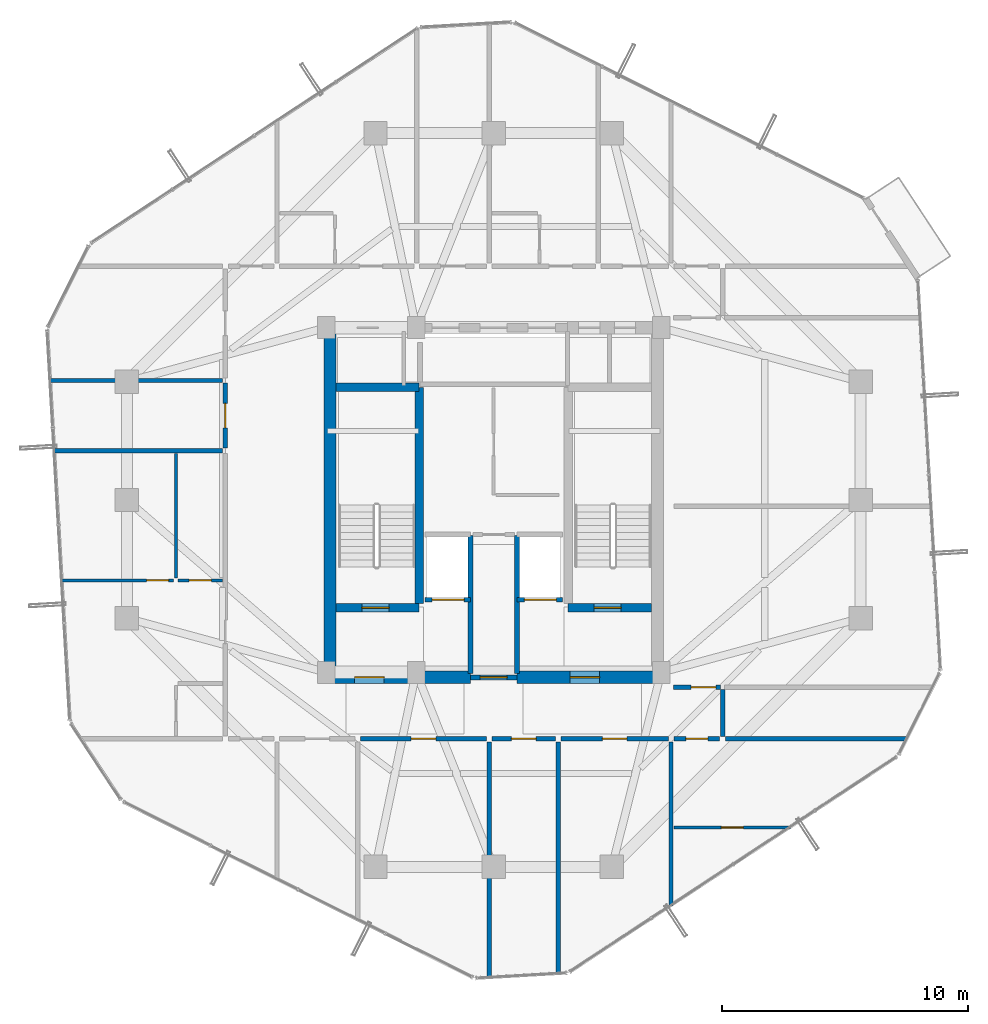
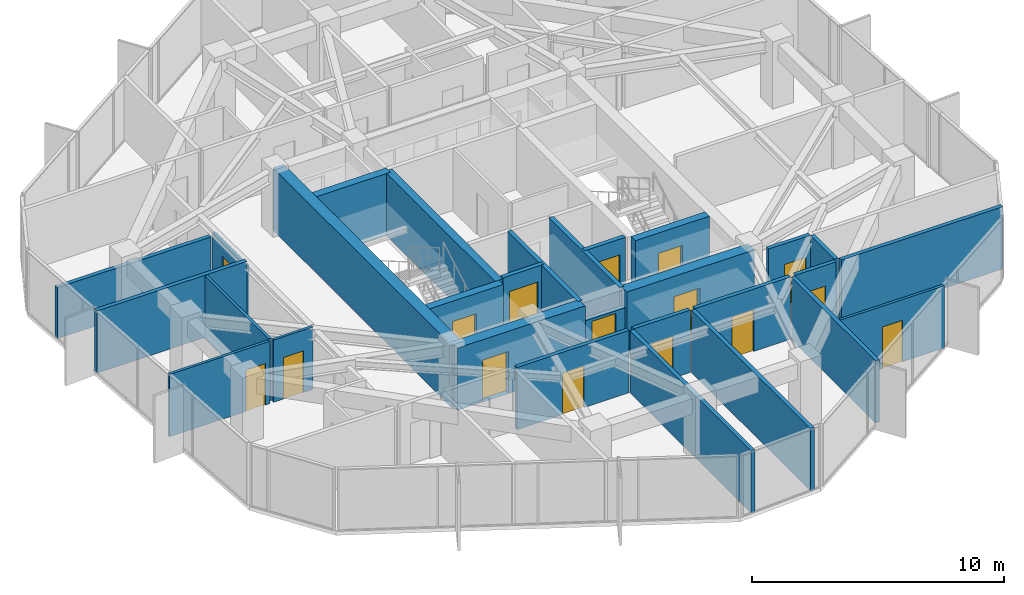
# One storey, part 29 of 33: 29 walls, 16 doors, 16 openings.
"""IFC4 building model written with IfcOpenShell, lengths in metres."""

from ifc_helpers import new_model, si_unit, direction, frame, frame_2d, origin, place, context, subcontext, project, spatial, rectangle, extrude, source, transform, mapped, material, layer, layer_set, type_object, element, fill, save


model = new_model("IFC4")

# Units and contexts
model_context = context("Model", 3, precision=1e-05, world=origin(), true_north=direction((0.0, 1.0)))
body_context = subcontext(model_context, "Body", "Model", "MODEL_VIEW")
ifc_project = project(units=[si_unit("LENGTHUNIT", "METRE"), si_unit("AREAUNIT", "SQUARE_METRE"), si_unit("VOLUMEUNIT", "CUBIC_METRE"), si_unit("PLANEANGLEUNIT", "RADIAN"), si_unit("MASSUNIT", "GRAM", prefix="KILO")], contexts=[model_context])

# Site, building, storey
site_placement = place(None, origin())
site = spatial("IfcSite", under=ifc_project, at=site_placement, CompositionType="ELEMENT")
building_placement = place(site_placement, origin())
building = spatial("IfcBuilding", under=site, at=building_placement, Name="Veraguas Prism Commons", CompositionType="ELEMENT")
storey_placement = place(building_placement, frame((0.0, 0.0, 195.10009765625)))
storey = spatial("IfcBuildingStorey", under=building, at=storey_placement, Name="L55", CompositionType="ELEMENT", Elevation=195.10009765625)

# Wall, opening, door
ifc_material_1 = material(Name="Concrete C50/60", Category="concrete")
ifc_layer_1 = layer(ifc_material_1, 0.35009765625, Name="Core Internal Shear Wall Upper RC 350", Category="concrete")
ifc_layer_set_1 = layer_set([ifc_layer_1], Name="Concrete C50/60")
wall_type_1 = type_object("IfcWallType", Name="Core Internal Shear Wall Upper RC 350", PredefinedType="SHEAR", material=ifc_layer_set_1)
wall_1_placement = place(storey_placement, frame((17.60009765625, 19.625, 0.0), z_axis=(0.0, 0.0, 1.0), x_axis=(1.0, 0.0, 0.0)))
wall_1 = element("IfcWall", 1, at=wall_1_placement, inside=storey, type_object=wall_type_1, Name="Stair ST-01 South Shear Wall L55", PredefinedType="SHEAR", context=body_context, shape_type="SweptSolid", body=[
    extrude(rectangle(XDim=3.375, YDim=0.35009765625, at=frame_2d((1.6875, 0.0))), origin(), (0.0, 0.0, 1.0), 3.014892578125),
])
opening_1_placement = place(wall_1_placement, frame((1.050048828125, 0.0, 0.0)))
opening_1 = element("IfcOpeningElement", 2, at=opening_1_placement, cuts=wall_1, Name="Opening DR-05", PredefinedType="OPENING", context=body_context, shape_type="SweptSolid", body=[
    extrude(rectangle(XDim=1.10009765625, YDim=2.030029296875, at=frame_2d((0.550048828125, 1.01513671875))), frame((0.0, 0.18505859375, 0.0), z_axis=(0.0, -1.0, 0.0), x_axis=(1.0, 0.0, 0.0)), (0.0, 0.0, 1.0), 0.3701171875),
])
ifc_material_2 = material(Name="Steel fire-rated door assembly", Category="steel")
door_type_1 = type_object("IfcDoorType", Name="Protected Stair and Refuge Fire Door 1100x2030", OperationType="NOTDEFINED", PredefinedType="DOOR", material=ifc_material_2)
shared_shape_1 = source(origin(), body_context, "Body", "SweptSolid", [
    extrude(rectangle(XDim=1.10009765625, YDim=2.030029296875, at=frame_2d((0.550048828125, 1.01513671875))), frame((0.0, 0.02490234375, 0.0), z_axis=(0.0, -1.0, 0.0), x_axis=(1.0, 0.0, 0.0)), (0.0, 0.0, 1.0), 0.050048828125),
])
door_1_placement = place(opening_1_placement, origin())
door_1 = element("IfcDoor", 3, at=door_1_placement, inside=storey, type_object=door_type_1, Name="Stair ST-01 Enclosure Door L55", OperationType="SINGLE_SWING_LEFT", OverallHeight=2.030029296875, OverallWidth=1.10009765625, PredefinedType="DOOR", context=body_context, shape_type="MappedRepresentation", body=[
    mapped(shared_shape_1, transform((0.0, 0.0, 0.0), scale=1.0)),
])
fill(opening_1, door_1)

wall_2_placement = place(storey_placement, frame((27.02490234375, 19.625, 0.0), z_axis=(0.0, 0.0, 1.0), x_axis=(1.0, 0.0, 0.0)))
wall_2 = element("IfcWall", 4, at=wall_2_placement, inside=storey, type_object=wall_type_1, Name="Stair ST-02 South Shear Wall L55", PredefinedType="SHEAR", context=body_context, shape_type="SweptSolid", body=[
    extrude(rectangle(XDim=3.375, YDim=0.35009765625, at=frame_2d((1.6875, 0.0))), origin(), (0.0, 0.0, 1.0), 3.014892578125),
])
opening_2_placement = place(wall_2_placement, frame((1.050048828125, 0.0, 0.0)))
opening_2 = element("IfcOpeningElement", 5, at=opening_2_placement, cuts=wall_2, Name="Opening DR-05", PredefinedType="OPENING", context=body_context, shape_type="SweptSolid", body=[
    extrude(rectangle(XDim=1.10009765625, YDim=2.030029296875, at=frame_2d((0.550048828125, 1.01513671875))), frame((0.0, 0.18505859375, 0.0), z_axis=(0.0, -1.0, 0.0), x_axis=(1.0, 0.0, 0.0)), (0.0, 0.0, 1.0), 0.3701171875),
])
door_2_placement = place(opening_2_placement, origin())
door_2 = element("IfcDoor", 6, at=door_2_placement, inside=storey, type_object=door_type_1, Name="Stair ST-02 Enclosure Door L55", OperationType="SINGLE_SWING_RIGHT", OverallHeight=2.030029296875, OverallWidth=1.10009765625, PredefinedType="DOOR", context=body_context, shape_type="MappedRepresentation", body=[
    mapped(shared_shape_1, transform((0.0, 0.0, 0.0), scale=1.0)),
])
fill(opening_2, door_2)

# Walls
wall_3_placement = place(storey_placement, frame((20.97509765625, 19.800048828125, 0.0), z_axis=(0.0, 0.0, 1.0), x_axis=(0.0, 1.0, 0.0)))
element("IfcWall", 7, at=wall_3_placement, inside=storey, type_object=wall_type_1, Name="Stair ST-01 Inner Shear Wall L55", PredefinedType="SHEAR", context=body_context, shape_type="SweptSolid", body=[
    extrude(rectangle(XDim=8.77490234375, YDim=0.35009765625, at=frame_2d((4.387451171875, 0.0))), origin(), (0.0, 0.0, 1.0), 3.014892578125),
])
wall_4_placement = place(storey_placement, frame((17.60009765625, 28.574951171875, 0.0), z_axis=(0.0, 0.0, 1.0), x_axis=(1.0, 0.0, 0.0)))
element("IfcWall", 8, at=wall_4_placement, inside=storey, type_object=wall_type_1, Name="Stair ST-01 North Shear Wall L55", PredefinedType="SHEAR", context=body_context, shape_type="SweptSolid", body=[
    extrude(rectangle(XDim=3.375, YDim=0.35009765625, at=frame_2d((1.6875, 0.0))), origin(), (0.0, 0.0, 1.0), 3.014892578125),
])
ifc_layer_2 = layer(ifc_material_1, 0.5, Name="Core Outer Shear Wall Upper RC 500", Category="concrete")
ifc_layer_set_2 = layer_set([ifc_layer_2], Name="Concrete C50/60")
wall_type_2 = type_object("IfcWallType", Name="Core Outer Shear Wall Upper RC 500", PredefinedType="SHEAR", material=ifc_layer_set_2)
wall_5_placement = place(storey_placement, frame((17.35009765625, 16.800048828125, 0.0), z_axis=(0.0, 0.0, 1.0), x_axis=(0.0, 1.0, 0.0)))
element("IfcWall", 9, at=wall_5_placement, inside=storey, type_object=wall_type_2, Name="Central Core West Shear Wall L55", PredefinedType="SHEAR", context=body_context, shape_type="SweptSolid", body=[
    extrude(rectangle(XDim=14.199951171875, YDim=0.5, at=frame_2d((7.10009765625, 0.0))), origin(), (0.0, 0.0, 1.0), 3.014892578125),
])

# Wall, opening, door
wall_6_placement = place(storey_placement, frame((17.199951171875, 16.800048828125, 0.0), z_axis=(0.0, 0.0, 1.0), x_axis=(1.0, 0.0, 0.0)))
wall_6 = element("IfcWall", 10, at=wall_6_placement, inside=storey, type_object=wall_type_2, Name="Central Core South-West Shear Wall L55", PredefinedType="SHEAR", context=body_context, shape_type="SweptSolid", body=[
    extrude(rectangle(XDim=5.85009765625, YDim=0.5, at=frame_2d((2.925048828125, 0.0))), origin(), (0.0, 0.0, 1.0), 3.014892578125),
])
opening_3_placement = place(wall_6_placement, frame((1.14990234375, 0.0, 0.0)))
opening_3 = element("IfcOpeningElement", 11, at=opening_3_placement, cuts=wall_6, Name="Opening DR-06", PredefinedType="OPENING", context=body_context, shape_type="SweptSolid", body=[
    extrude(rectangle(XDim=1.199951171875, YDim=2.030029296875, at=frame_2d((0.60009765625, 1.01513671875))), frame((0.0, 0.260009765625, 0.0), z_axis=(0.0, -1.0, 0.0), x_axis=(1.0, 0.0, 0.0)), (0.0, 0.0, 1.0), 0.52001953125),
])
door_type_2 = type_object("IfcDoorType", Name="Firefighting Lobby Smoke Door 1200x2030", OperationType="NOTDEFINED", PredefinedType="DOOR", material=ifc_material_2)
shared_shape_2 = source(origin(), body_context, "Body", "SweptSolid", [
    extrude(rectangle(XDim=1.199951171875, YDim=2.030029296875, at=frame_2d((0.60009765625, 1.01513671875))), frame((0.0, 0.02490234375, 0.0), z_axis=(0.0, -1.0, 0.0), x_axis=(1.0, 0.0, 0.0)), (0.0, 0.0, 1.0), 0.050048828125),
])
door_3_placement = place(opening_3_placement, origin())
door_3 = element("IfcDoor", 12, at=door_3_placement, inside=storey, type_object=door_type_2, Name="West FF Lobby Door L55", OperationType="SINGLE_SWING_LEFT", OverallHeight=2.030029296875, OverallWidth=1.199951171875, PredefinedType="DOOR", context=body_context, shape_type="MappedRepresentation", body=[
    mapped(shared_shape_2, transform((0.0, 0.0, 0.0), scale=1.0)),
])
fill(opening_3, door_3)

wall_7_placement = place(storey_placement, frame((24.949951171875, 16.800048828125, 0.0), z_axis=(0.0, 0.0, 1.0), x_axis=(1.0, 0.0, 0.0)))
wall_7 = element("IfcWall", 13, at=wall_7_placement, inside=storey, type_object=wall_type_2, Name="Central Core South-East Shear Wall L55", PredefinedType="SHEAR", context=body_context, shape_type="SweptSolid", body=[
    extrude(rectangle(XDim=5.85009765625, YDim=0.5, at=frame_2d((2.925048828125, 0.0))), origin(), (0.0, 0.0, 1.0), 3.014892578125),
])
opening_4_placement = place(wall_7_placement, frame((2.14990234375, 0.0, 0.0)))
opening_4 = element("IfcOpeningElement", 14, at=opening_4_placement, cuts=wall_7, Name="Opening DR-06", PredefinedType="OPENING", context=body_context, shape_type="SweptSolid", body=[
    extrude(rectangle(XDim=1.199951171875, YDim=2.030029296875, at=frame_2d((0.60009765625, 1.01513671875))), frame((0.0, 0.260009765625, 0.0), z_axis=(0.0, -1.0, 0.0), x_axis=(1.0, 0.0, 0.0)), (0.0, 0.0, 1.0), 0.52001953125),
])
door_4_placement = place(opening_4_placement, origin())
door_4 = element("IfcDoor", 15, at=door_4_placement, inside=storey, type_object=door_type_2, Name="East FF Lobby Door L55", OperationType="SINGLE_SWING_LEFT", OverallHeight=2.030029296875, OverallWidth=1.199951171875, PredefinedType="DOOR", context=body_context, shape_type="MappedRepresentation", body=[
    mapped(shared_shape_2, transform((0.0, 0.0, 0.0), scale=1.0)),
])
fill(opening_4, door_4)

# Wall
ifc_material_3 = material(Name="Autoclaved aerated masonry block 10 MPa", Category="masonry")
ifc_layer_3 = layer(ifc_material_3, 0.179931640625, Name="Corridor and Inter-Tenancy Partition 180", Category="masonry")
ifc_layer_set_3 = layer_set([ifc_layer_3], Name="Autoclaved aerated masonry block 10 MPa")
wall_type_3 = type_object("IfcWallType", Name="Corridor and Inter-Tenancy Partition 180", PredefinedType="PARTITIONING", material=ifc_layer_set_3)
wall_8_placement = place(storey_placement, frame((31.199951171875, 14.179931640625, 0.0), z_axis=(0.0, 0.0, 1.0), x_axis=(0.0, -1.0, 0.0)))
element("IfcWall", 16, at=wall_8_placement, inside=storey, type_object=wall_type_3, Name="WL-L55-PT002", PredefinedType="PARTITIONING", context=body_context, shape_type="SweptSolid", body=[
    extrude(rectangle(XDim=6.677001953125, YDim=0.179931640625, at=frame_2d((3.33837890625, 0.0))), origin(), (0.0, 0.0, 1.0), 3.014892578125),
])

# Wall, opening, door
wall_9_placement = place(storey_placement, frame((18.5859375, 14.300048828125, 0.0), z_axis=(0.0, 0.0, 1.0), x_axis=(1.0, 0.0, 0.0)))
wall_9 = element("IfcWall", 17, at=wall_9_placement, inside=storey, type_object=wall_type_3, Name="WL-L55-PT004", PredefinedType="PARTITIONING", context=body_context, shape_type="SweptSolid", body=[
    extrude(rectangle(XDim=5.1240234375, YDim=0.179931640625, at=frame_2d((2.56201171875, 0.0))), origin(), (0.0, 0.0, 1.0), 3.014892578125),
])
opening_5_placement = place(wall_9_placement, frame((2.06201171875, 0.0, 0.0)))
opening_5 = element("IfcOpeningElement", 18, at=opening_5_placement, cuts=wall_9, Name="Opening DR-13", PredefinedType="OPENING", context=body_context, shape_type="SweptSolid", body=[
    extrude(rectangle(XDim=1.0, YDim=2.010009765625, at=frame_2d((0.5, 1.0048828125))), frame((0.0, 0.099853515625, 0.0), z_axis=(0.0, -1.0, 0.0), x_axis=(1.0, 0.0, 0.0)), (0.0, 0.0, 1.0), 0.199951171875),
])
door_type_3 = type_object("IfcDoorType", Name="Core Accessible WC and Clinic Fire Door 1000x2010", OperationType="NOTDEFINED", PredefinedType="DOOR", material=ifc_material_2)
shared_shape_3 = source(origin(), body_context, "Body", "SweptSolid", [
    extrude(rectangle(XDim=1.0, YDim=2.010009765625, at=frame_2d((0.5, 1.0048828125))), frame((0.0, 0.02490234375, 0.0), z_axis=(0.0, -1.0, 0.0), x_axis=(1.0, 0.0, 0.0)), (0.0, 0.0, 1.0), 0.050048828125),
])
door_5_placement = place(opening_5_placement, origin())
door_5 = element("IfcDoor", 19, at=door_5_placement, inside=storey, type_object=door_type_3, Name="Co-op Store S Door", OperationType="SINGLE_SWING_RIGHT", OverallHeight=2.010009765625, OverallWidth=1.0, PredefinedType="DOOR", context=body_context, shape_type="MappedRepresentation", body=[
    mapped(shared_shape_3, transform((0.0, 0.0, 0.0), scale=1.0)),
])
fill(opening_5, door_5)

# Wall
wall_10_placement = place(storey_placement, frame((23.820068359375, 14.179931640625, 0.0), z_axis=(0.0, 0.0, 1.0), x_axis=(0.0, -1.0, 0.0)))
element("IfcWall", 20, at=wall_10_placement, inside=storey, type_object=wall_type_3, Name="WL-L55-PT006", PredefinedType="PARTITIONING", context=body_context, shape_type="SweptSolid", body=[
    extrude(rectangle(XDim=9.595947265625, YDim=0.179931640625, at=frame_2d((4.7978515625, 0.0))), origin(), (0.0, 0.0, 1.0), 3.014892578125),
])

# Wall, opening, door
wall_11_placement = place(storey_placement, frame((23.929931640625, 14.300048828125, 0.0), z_axis=(0.0, 0.0, 1.0), x_axis=(1.0, 0.0, 0.0)))
wall_11 = element("IfcWall", 21, at=wall_11_placement, inside=storey, type_object=wall_type_3, Name="WL-L55-PT007", PredefinedType="PARTITIONING", context=body_context, shape_type="SweptSolid", body=[
    extrude(rectangle(XDim=2.583984375, YDim=0.179931640625, at=frame_2d((1.2919921875, 0.0))), origin(), (0.0, 0.0, 1.0), 3.014892578125),
])
opening_6_placement = place(wall_11_placement, frame((0.7919921875, 0.0, 0.0)))
opening_6 = element("IfcOpeningElement", 22, at=opening_6_placement, cuts=wall_11, Name="Opening DR-13", PredefinedType="OPENING", context=body_context, shape_type="SweptSolid", body=[
    extrude(rectangle(XDim=1.0, YDim=2.010009765625, at=frame_2d((0.5, 1.0048828125))), frame((0.0, 0.099853515625, 0.0), z_axis=(0.0, -1.0, 0.0), x_axis=(1.0, 0.0, 0.0)), (0.0, 0.0, 1.0), 0.199951171875),
])
door_6_placement = place(opening_6_placement, origin())
door_6 = element("IfcDoor", 23, at=door_6_placement, inside=storey, type_object=door_type_3, Name="Youth Homework Study Room Door", OperationType="SINGLE_SWING_LEFT", OverallHeight=2.010009765625, OverallWidth=1.0, PredefinedType="DOOR", context=body_context, shape_type="MappedRepresentation", body=[
    mapped(shared_shape_3, transform((0.0, 0.0, 0.0), scale=1.0)),
])
fill(opening_6, door_6)

wall_12_placement = place(storey_placement, frame((26.73388671875, 14.300048828125, 0.0), z_axis=(0.0, 0.0, 1.0), x_axis=(1.0, 0.0, 0.0)))
wall_12 = element("IfcWall", 24, at=wall_12_placement, inside=storey, type_object=wall_type_3, Name="WL-L55-PT008", PredefinedType="PARTITIONING", context=body_context, shape_type="SweptSolid", body=[
    extrude(rectangle(XDim=4.356201171875, YDim=0.179931640625, at=frame_2d((2.17822265625, 0.0))), origin(), (0.0, 0.0, 1.0), 3.014892578125),
])
opening_7_placement = place(wall_12_placement, frame((1.677978515625, 0.0, 0.0)))
opening_7 = element("IfcOpeningElement", 25, at=opening_7_placement, cuts=wall_12, Name="Opening DR-13", PredefinedType="OPENING", context=body_context, shape_type="SweptSolid", body=[
    extrude(rectangle(XDim=1.0, YDim=2.010009765625, at=frame_2d((0.5, 1.0048828125))), frame((0.0, 0.099853515625, 0.0), z_axis=(0.0, -1.0, 0.0), x_axis=(1.0, 0.0, 0.0)), (0.0, 0.0, 1.0), 0.199951171875),
])
door_7_placement = place(opening_7_placement, origin())
door_7 = element("IfcDoor", 26, at=door_7_placement, inside=storey, type_object=door_type_3, Name="Co-op Store S Door", OperationType="SINGLE_SWING_RIGHT", OverallHeight=2.010009765625, OverallWidth=1.0, PredefinedType="DOOR", context=body_context, shape_type="MappedRepresentation", body=[
    mapped(shared_shape_3, transform((0.0, 0.0, 0.0), scale=1.0)),
])
fill(opening_7, door_7)

# Walls
wall_13_placement = place(storey_placement, frame((26.6240234375, 14.179931640625, 0.0), z_axis=(0.0, 0.0, 1.0), x_axis=(0.0, -1.0, 0.0)))
element("IfcWall", 27, at=wall_13_placement, inside=storey, type_object=wall_type_3, Name="WL-L55-PT009", PredefinedType="PARTITIONING", context=body_context, shape_type="SweptSolid", body=[
    extrude(rectangle(XDim=9.433349609375, YDim=0.179931640625, at=frame_2d((4.716796875, 0.0))), origin(), (0.0, 0.0, 1.0), 3.014892578125),
])
wall_14_placement = place(storey_placement, frame((12.97998046875, 26.00390625, 0.0), z_axis=(0.0, 0.0, 1.0), x_axis=(-1.0, 0.0, 0.0)))
element("IfcWall", 28, at=wall_14_placement, inside=storey, type_object=wall_type_3, Name="WL-L55-PT031", PredefinedType="PARTITIONING", context=body_context, shape_type="SweptSolid", body=[
    extrude(rectangle(XDim=6.8662109375, YDim=0.179931640625, at=frame_2d((3.43310546875, 0.0))), origin(), (0.0, 0.0, 1.0), 3.014892578125),
])

# Wall, opening, door
wall_15_placement = place(storey_placement, frame((13.10009765625, 26.114013671875, 0.0), z_axis=(0.0, 0.0, 1.0), x_axis=(0.0, 1.0, 0.0)))
wall_15 = element("IfcWall", 29, at=wall_15_placement, inside=storey, type_object=wall_type_3, Name="WL-L55-PT032", PredefinedType="PARTITIONING", context=body_context, shape_type="SweptSolid", body=[
    extrude(rectangle(XDim=2.6279296875, YDim=0.179931640625, at=frame_2d((1.31396484375, 0.0))), origin(), (0.0, 0.0, 1.0), 2.661865234375),
])
opening_8_placement = place(wall_15_placement, frame((0.81396484375, 0.0, 0.0)))
opening_8 = element("IfcOpeningElement", 30, at=opening_8_placement, cuts=wall_15, Name="Opening DR-13", PredefinedType="OPENING", context=body_context, shape_type="SweptSolid", body=[
    extrude(rectangle(XDim=1.0, YDim=2.010009765625, at=frame_2d((0.5, 1.0048828125))), frame((0.0, 0.099853515625, 0.0), z_axis=(0.0, -1.0, 0.0), x_axis=(1.0, 0.0, 0.0)), (0.0, 0.0, 1.0), 0.199951171875),
])
door_8_placement = place(opening_8_placement, origin())
door_8 = element("IfcDoor", 31, at=door_8_placement, inside=storey, type_object=door_type_3, Name="Residents Study Room Door", OperationType="SINGLE_SWING_LEFT", OverallHeight=2.010009765625, OverallWidth=1.0, PredefinedType="DOOR", context=body_context, shape_type="MappedRepresentation", body=[
    mapped(shared_shape_3, transform((0.0, 0.0, 0.0), scale=1.0)),
])
fill(opening_8, door_8)

# Walls
wall_16_placement = place(storey_placement, frame((12.97998046875, 28.85205078125, 0.0), z_axis=(0.0, 0.0, 1.0), x_axis=(-1.0, 0.0, 0.0)))
element("IfcWall", 32, at=wall_16_placement, inside=storey, type_object=wall_type_3, Name="WL-L55-PT034", PredefinedType="PARTITIONING", context=body_context, shape_type="SweptSolid", body=[
    extrude(rectangle(XDim=7.031494140625, YDim=0.179931640625, at=frame_2d((3.515625, 0.0))), origin(), (0.0, 0.0, 1.0), 2.468994140625),
])
wall_17_placement = place(storey_placement, frame((33.300048828125, 14.39990234375, 0.0), z_axis=(0.0, 0.0, 1.0), x_axis=(0.0, 1.0, 0.0)))
element("IfcWall", 33, at=wall_17_placement, inside=storey, type_object=wall_type_3, Name="WL-L55-PT036", PredefinedType="PARTITIONING", context=body_context, shape_type="SweptSolid", body=[
    extrude(rectangle(XDim=1.900146484375, YDim=0.179931640625, at=frame_2d((0.9501953125, 0.0))), origin(), (0.0, 0.0, 1.0), 3.014892578125),
])

# Wall, opening, door
wall_18_placement = place(storey_placement, frame((31.300048828125, 16.39990234375, 0.0), z_axis=(0.0, 0.0, 1.0), x_axis=(1.0, 0.0, 0.0)))
wall_18 = element("IfcWall", 34, at=wall_18_placement, inside=storey, type_object=wall_type_3, Name="WL-L55-PT038", PredefinedType="PARTITIONING", context=body_context, shape_type="SweptSolid", body=[
    extrude(rectangle(XDim=1.919921875, YDim=0.179931640625, at=frame_2d((0.9599609375, 0.0))), origin(), (0.0, 0.0, 1.0), 3.014892578125),
])
opening_9_placement = place(wall_18_placement, frame((0.719970703125, 0.0, 0.0)))
opening_9 = element("IfcOpeningElement", 35, at=opening_9_placement, cuts=wall_18, Name="Opening DR-13", PredefinedType="OPENING", context=body_context, shape_type="SweptSolid", body=[
    extrude(rectangle(XDim=1.0, YDim=2.010009765625, at=frame_2d((0.5, 1.0048828125))), frame((0.0, 0.099853515625, 0.0), z_axis=(0.0, -1.0, 0.0), x_axis=(1.0, 0.0, 0.0)), (0.0, 0.0, 1.0), 0.199951171875),
])
door_9_placement = place(opening_9_placement, origin())
door_9 = element("IfcDoor", 36, at=door_9_placement, inside=storey, type_object=door_type_3, Name="Panorama Lounge Door L55", OperationType="SINGLE_SWING_LEFT", OverallHeight=2.010009765625, OverallWidth=1.0, PredefinedType="DOOR", context=body_context, shape_type="MappedRepresentation", body=[
    mapped(shared_shape_3, transform((0.0, 0.0, 0.0), scale=1.0)),
])
fill(opening_9, door_9)

# Wall
wall_19_placement = place(storey_placement, frame((33.419921875, 14.300048828125, 0.0), z_axis=(0.0, 0.0, 1.0), x_axis=(1.0, 0.0, 0.0)))
element("IfcWall", 37, at=wall_19_placement, inside=storey, type_object=wall_type_3, Name="WL-L55-PT043", PredefinedType="PARTITIONING", context=body_context, shape_type="SweptSolid", body=[
    extrude(rectangle(XDim=7.387451171875, YDim=0.179931640625, at=frame_2d((3.69384765625, 0.0))), origin(), (0.0, 0.0, 1.0), 3.014892578125),
])

# Wall, opening, door
wall_20_placement = place(storey_placement, frame((31.320068359375, 14.300048828125, 0.0), z_axis=(0.0, 0.0, 1.0), x_axis=(1.0, 0.0, 0.0)))
wall_20 = element("IfcWall", 38, at=wall_20_placement, inside=storey, type_object=wall_type_3, Name="WL-L55-PT044", PredefinedType="PARTITIONING", context=body_context, shape_type="SweptSolid", body=[
    extrude(rectangle(XDim=1.85986328125, YDim=0.179931640625, at=frame_2d((0.929931640625, 0.0))), origin(), (0.0, 0.0, 1.0), 3.014892578125),
])
opening_10_placement = place(wall_20_placement, frame((0.47998046875, 0.0, 0.0)))
opening_10 = element("IfcOpeningElement", 39, at=opening_10_placement, cuts=wall_20, Name="Opening DR-14", PredefinedType="OPENING", context=body_context, shape_type="SweptSolid", body=[
    extrude(rectangle(XDim=0.89990234375, YDim=2.010009765625, at=frame_2d((0.449951171875, 1.0048828125))), frame((0.0, 0.099853515625, 0.0), z_axis=(0.0, -1.0, 0.0), x_axis=(1.0, 0.0, 0.0)), (0.0, 0.0, 1.0), 0.199951171875),
])
door_type_4 = type_object("IfcDoorType", Name="Core Service Room Fire Door 900x2010", OperationType="NOTDEFINED", PredefinedType="DOOR", material=ifc_material_2)
shared_shape_4 = source(origin(), body_context, "Body", "SweptSolid", [
    extrude(rectangle(XDim=0.89990234375, YDim=2.010009765625, at=frame_2d((0.449951171875, 1.0048828125))), frame((0.0, 0.02490234375, 0.0), z_axis=(0.0, -1.0, 0.0), x_axis=(1.0, 0.0, 0.0)), (0.0, 0.0, 1.0), 0.050048828125),
])
door_10_placement = place(opening_10_placement, origin())
door_10 = element("IfcDoor", 40, at=door_10_placement, inside=storey, type_object=door_type_4, Name="Corner Study SE Door", OperationType="SINGLE_SWING_RIGHT", OverallHeight=2.010009765625, OverallWidth=0.89990234375, PredefinedType="DOOR", context=body_context, shape_type="MappedRepresentation", body=[
    mapped(shared_shape_4, transform((0.0, 0.0, 0.0), scale=1.0)),
])
fill(opening_10, door_10)

ifc_material_4 = material(Name="Lightweight acoustic gypsum board")
ifc_layer_4 = layer(ifc_material_4, 0.125, Name="Internal Apartment Room Partition 125")
ifc_layer_set_4 = layer_set([ifc_layer_4], Name="Lightweight acoustic gypsum board")
wall_type_4 = type_object("IfcWallType", Name="Internal Apartment Room Partition 125", PredefinedType="PARTITIONING", material=ifc_layer_set_4)
wall_21_placement = place(storey_placement, frame((12.97998046875, 20.737060546875, 0.0), z_axis=(0.0, 0.0, 1.0), x_axis=(-1.0, 0.0, 0.0)))
wall_21 = element("IfcWall", 41, at=wall_21_placement, inside=storey, type_object=wall_type_4, Name="WL-L55-PT028", PredefinedType="PARTITIONING", context=body_context, shape_type="SweptSolid", body=[
    extrude(rectangle(XDim=1.800048828125, YDim=0.125, at=frame_2d((0.89990234375, 0.0))), origin(), (0.0, 0.0, 1.0), 3.014892578125),
])
opening_11_placement = place(wall_21_placement, frame((0.449951171875, 0.0, 0.0)))
opening_11 = element("IfcOpeningElement", 42, at=opening_11_placement, cuts=wall_21, Name="Opening DR-02", PredefinedType="OPENING", context=body_context, shape_type="SweptSolid", body=[
    extrude(rectangle(XDim=0.89990234375, YDim=2.010009765625, at=frame_2d((0.449951171875, 1.0048828125))), frame((0.0, 0.072509765625, 0.0), z_axis=(0.0, -1.0, 0.0), x_axis=(1.0, 0.0, 0.0)), (0.0, 0.0, 1.0), 0.14501953125),
])
ifc_material_5 = material(Name="Timber solid core hardwood", Category="wood")
door_type_5 = type_object("IfcDoorType", Name="Internal Habitable Room Door 900x2010", OperationType="NOTDEFINED", PredefinedType="DOOR", material=ifc_material_5)
door_11_placement = place(opening_11_placement, origin())
door_11 = element("IfcDoor", 43, at=door_11_placement, inside=storey, type_object=door_type_5, Name="Flat 55C Kitchen Door", OperationType="SINGLE_SWING_LEFT", OverallHeight=2.010009765625, OverallWidth=0.89990234375, PredefinedType="DOOR", context=body_context, shape_type="MappedRepresentation", body=[
    mapped(shared_shape_4, transform((0.0, 0.0, 0.0), scale=1.0)),
])
fill(opening_11, door_11)

# Wall
wall_22_placement = place(storey_placement, frame((11.10009765625, 20.8369140625, 0.0), z_axis=(0.0, 0.0, 1.0), x_axis=(0.0, 1.0, 0.0)))
element("IfcWall", 44, at=wall_22_placement, inside=storey, type_object=wall_type_4, Name="WL-L55-PT029", PredefinedType="PARTITIONING", context=body_context, shape_type="SweptSolid", body=[
    extrude(rectangle(XDim=5.047119140625, YDim=0.125, at=frame_2d((2.5234375, 0.0))), origin(), (0.0, 0.0, 1.0), 3.014892578125),
])

# Wall, opening, door
wall_23_placement = place(storey_placement, frame((11.0, 20.737060546875, 0.0), z_axis=(0.0, 0.0, 1.0), x_axis=(-1.0, 0.0, 0.0)))
wall_23 = element("IfcWall", 45, at=wall_23_placement, inside=storey, type_object=wall_type_4, Name="WL-L55-PT030", PredefinedType="PARTITIONING", context=body_context, shape_type="SweptSolid", body=[
    extrude(rectangle(XDim=4.580810546875, YDim=0.125, at=frame_2d((2.29052734375, 0.0))), origin(), (0.0, 0.0, 1.0), 3.014892578125),
])
opening_12_placement = place(wall_23_placement, frame((0.199951171875, 0.0, 0.0)))
opening_12 = element("IfcOpeningElement", 46, at=opening_12_placement, cuts=wall_23, Name="Opening DR-02", PredefinedType="OPENING", context=body_context, shape_type="SweptSolid", body=[
    extrude(rectangle(XDim=0.89990234375, YDim=2.010009765625, at=frame_2d((0.449951171875, 1.0048828125))), frame((0.0, 0.072509765625, 0.0), z_axis=(0.0, -1.0, 0.0), x_axis=(1.0, 0.0, 0.0)), (0.0, 0.0, 1.0), 0.14501953125),
])
door_12_placement = place(opening_12_placement, origin())
door_12 = element("IfcDoor", 47, at=door_12_placement, inside=storey, type_object=door_type_5, Name="Flat 55C Bedroom 1 Door", OperationType="SINGLE_SWING_RIGHT", OverallHeight=2.010009765625, OverallWidth=0.89990234375, PredefinedType="DOOR", context=body_context, shape_type="MappedRepresentation", body=[
    mapped(shared_shape_4, transform((0.0, 0.0, 0.0), scale=1.0)),
])
fill(opening_12, door_12)

wall_24_placement = place(storey_placement, frame((31.320068359375, 10.699951171875, 0.0), z_axis=(0.0, 0.0, 1.0), x_axis=(1.0, 0.0, 0.0)))
wall_24 = element("IfcWall", 48, at=wall_24_placement, inside=storey, type_object=wall_type_4, Name="WL-L55-PT045", PredefinedType="PARTITIONING", context=body_context, shape_type="SweptSolid", body=[
    extrude(rectangle(XDim=4.7431640625, YDim=0.125, at=frame_2d((2.37158203125, 0.0))), origin(), (0.0, 0.0, 1.0), 3.014892578125),
])
opening_13_placement = place(wall_24_placement, frame((1.921630859375, 0.0, 0.0)))
opening_13 = element("IfcOpeningElement", 49, at=opening_13_placement, cuts=wall_24, Name="Opening DR-02", PredefinedType="OPENING", context=body_context, shape_type="SweptSolid", body=[
    extrude(rectangle(XDim=0.89990234375, YDim=2.010009765625, at=frame_2d((0.449951171875, 1.0048828125))), frame((0.0, 0.072509765625, 0.0), z_axis=(0.0, -1.0, 0.0), x_axis=(1.0, 0.0, 0.0)), (0.0, 0.0, 1.0), 0.14501953125),
])
door_13_placement = place(opening_13_placement, origin())
door_13 = element("IfcDoor", 50, at=door_13_placement, inside=storey, type_object=door_type_5, Name="Craft Room SE Door", OperationType="SINGLE_SWING_LEFT", OverallHeight=2.010009765625, OverallWidth=0.89990234375, PredefinedType="DOOR", context=body_context, shape_type="MappedRepresentation", body=[
    mapped(shared_shape_4, transform((0.0, 0.0, 0.0), scale=1.0)),
])
fill(opening_13, door_13)

ifc_layer_5 = layer(ifc_material_3, 0.199951171875, Name="Rated Shaft and Lobby Block Wall 200", Category="masonry")
ifc_layer_set_5 = layer_set([ifc_layer_5], Name="Autoclaved aerated masonry block 10 MPa")
wall_type_5 = type_object("IfcWallType", Name="Rated Shaft and Lobby Block Wall 200", PredefinedType="SOLIDWALL", material=ifc_layer_set_5)
wall_25_placement = place(storey_placement, frame((23.050048828125, 16.800048828125, 0.0), z_axis=(0.0, 0.0, 1.0), x_axis=(1.0, 0.0, 0.0)))
wall_25 = element("IfcWall", 51, at=wall_25_placement, inside=storey, type_object=wall_type_5, Name="Central Core Lobby Entrance Wall L55", PredefinedType="SOLIDWALL", context=body_context, shape_type="SweptSolid", body=[
    extrude(rectangle(XDim=1.89990234375, YDim=0.199951171875, at=frame_2d((0.949951171875, 0.0))), origin(), (0.0, 0.0, 1.0), 2.164794921875),
])
opening_14_placement = place(wall_25_placement, frame((0.39990234375, 0.0, 0.0)))
opening_14 = element("IfcOpeningElement", 52, at=opening_14_placement, cuts=wall_25, Name="Opening DR-05", PredefinedType="OPENING", context=body_context, shape_type="SweptSolid", body=[
    extrude(rectangle(XDim=1.10009765625, YDim=2.030029296875, at=frame_2d((0.550048828125, 1.01513671875))), frame((0.0, 0.10986328125, 0.0), z_axis=(0.0, -1.0, 0.0), x_axis=(1.0, 0.0, 0.0)), (0.0, 0.0, 1.0), 0.219970703125),
])
door_14_placement = place(opening_14_placement, origin())
door_14 = element("IfcDoor", 53, at=door_14_placement, inside=storey, type_object=door_type_1, Name="Central Lobby Door L55", OperationType="SINGLE_SWING_RIGHT", OverallHeight=2.030029296875, OverallWidth=1.10009765625, PredefinedType="DOOR", context=body_context, shape_type="MappedRepresentation", body=[
    mapped(shared_shape_1, transform((0.0, 0.0, 0.0), scale=1.0)),
])
fill(opening_14, door_14)

wall_26_placement = place(storey_placement, frame((21.199951171875, 19.949951171875, 0.0), z_axis=(0.0, 0.0, 1.0), x_axis=(1.0, 0.0, 0.0)))
wall_26 = element("IfcWall", 54, at=wall_26_placement, inside=storey, type_object=wall_type_5, Name="Firefighting Lift FFL-1 Front Wall L55", PredefinedType="SOLIDWALL", context=body_context, shape_type="SweptSolid", body=[
    extrude(rectangle(XDim=1.85009765625, YDim=0.199951171875, at=frame_2d((0.925048828125, 0.0))), origin(), (0.0, 0.0, 1.0), 3.014892578125),
])
opening_15_placement = place(wall_26_placement, frame((0.300048828125, 0.0, 0.0)))
opening_15 = element("IfcOpeningElement", 55, at=opening_15_placement, cuts=wall_26, Name="Opening LD-02", PredefinedType="OPENING", context=body_context, shape_type="SweptSolid", body=[
    extrude(rectangle(XDim=1.300048828125, YDim=2.25, at=frame_2d((0.64990234375, 1.125))), frame((0.0, 0.10986328125, 0.0), z_axis=(0.0, -1.0, 0.0), x_axis=(1.0, 0.0, 0.0)), (0.0, 0.0, 1.0), 0.219970703125),
])
ifc_material_6 = material(Name="Stainless steel AISI 316", Category="steel")
door_type_6 = type_object("IfcDoorType", Name="Firefighting Lift Sliding Landing Door 1300x2250", OperationType="NOTDEFINED", PredefinedType="DOOR", material=ifc_material_6)
shared_shape_5 = source(origin(), body_context, "Body", "SweptSolid", [
    extrude(rectangle(XDim=1.300048828125, YDim=2.25, at=frame_2d((0.64990234375, 1.125))), frame((0.0, 0.02490234375, 0.0), z_axis=(0.0, -1.0, 0.0), x_axis=(1.0, 0.0, 0.0)), (0.0, 0.0, 1.0), 0.050048828125),
])
door_15_placement = place(opening_15_placement, origin())
door_15 = element("IfcDoor", 56, at=door_15_placement, inside=storey, type_object=door_type_6, Name="Firefighting Lift FFL-1 Landing Door L55", OperationType="SLIDING_TO_LEFT", OverallHeight=2.25, OverallWidth=1.300048828125, PredefinedType="DOOR", context=body_context, shape_type="MappedRepresentation", body=[
    mapped(shared_shape_5, transform((0.0, 0.0, 0.0), scale=1.0)),
])
fill(opening_15, door_15)

wall_27_placement = place(storey_placement, frame((24.949951171875, 19.949951171875, 0.0), z_axis=(0.0, 0.0, 1.0), x_axis=(1.0, 0.0, 0.0)))
wall_27 = element("IfcWall", 57, at=wall_27_placement, inside=storey, type_object=wall_type_5, Name="Firefighting Lift FFL-2 Front Wall L55", PredefinedType="SOLIDWALL", context=body_context, shape_type="SweptSolid", body=[
    extrude(rectangle(XDim=1.85009765625, YDim=0.199951171875, at=frame_2d((0.925048828125, 0.0))), origin(), (0.0, 0.0, 1.0), 3.014892578125),
])
opening_16_placement = place(wall_27_placement, frame((0.300048828125, 0.0, 0.0)))
opening_16 = element("IfcOpeningElement", 58, at=opening_16_placement, cuts=wall_27, Name="Opening LD-02", PredefinedType="OPENING", context=body_context, shape_type="SweptSolid", body=[
    extrude(rectangle(XDim=1.300048828125, YDim=2.25, at=frame_2d((0.64990234375, 1.125))), frame((0.0, 0.10986328125, 0.0), z_axis=(0.0, -1.0, 0.0), x_axis=(1.0, 0.0, 0.0)), (0.0, 0.0, 1.0), 0.219970703125),
])
door_16_placement = place(opening_16_placement, origin())
door_16 = element("IfcDoor", 59, at=door_16_placement, inside=storey, type_object=door_type_6, Name="Firefighting Lift FFL-2 Front Wall L55", OperationType="SLIDING_TO_LEFT", OverallHeight=2.25, OverallWidth=1.300048828125, PredefinedType="DOOR", context=body_context, shape_type="MappedRepresentation", body=[
    mapped(shared_shape_5, transform((0.0, 0.0, 0.0), scale=1.0)),
])
fill(opening_16, door_16)

# Walls
for number, where, z_axis, x_axis, name in (
    (60, (23.050048828125, 16.949951171875, 0.0), (0.0, 0.0, 1.0), (0.0, 1.0, 0.0), "West FF Lobby Divider Wall L55"),
    (61, (24.949951171875, 16.949951171875, 0.0), (0.0, 0.0, 1.0), (0.0, 1.0, 0.0), "East FF Lobby Divider Wall L55"),
):
    element("IfcWall", number, at=place(storey_placement, frame(where, z_axis=z_axis, x_axis=x_axis)), inside=storey, type_object=wall_type_5, Name=name, PredefinedType="SOLIDWALL", context=body_context, shape_type="SweptSolid", body=[
        extrude(rectangle(XDim=5.60009765625, YDim=0.199951171875, at=frame_2d((2.800048828125, 0.0))), origin(), (0.0, 0.0, 1.0), 3.014892578125),
    ])

save(model, "model.ifc")
